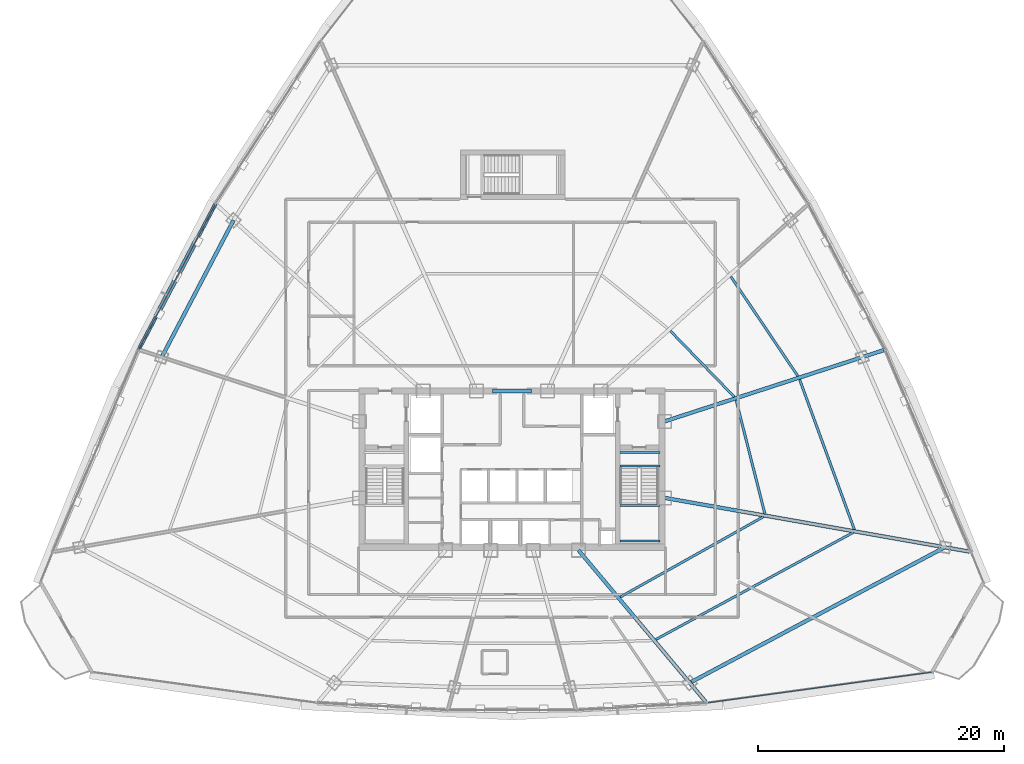
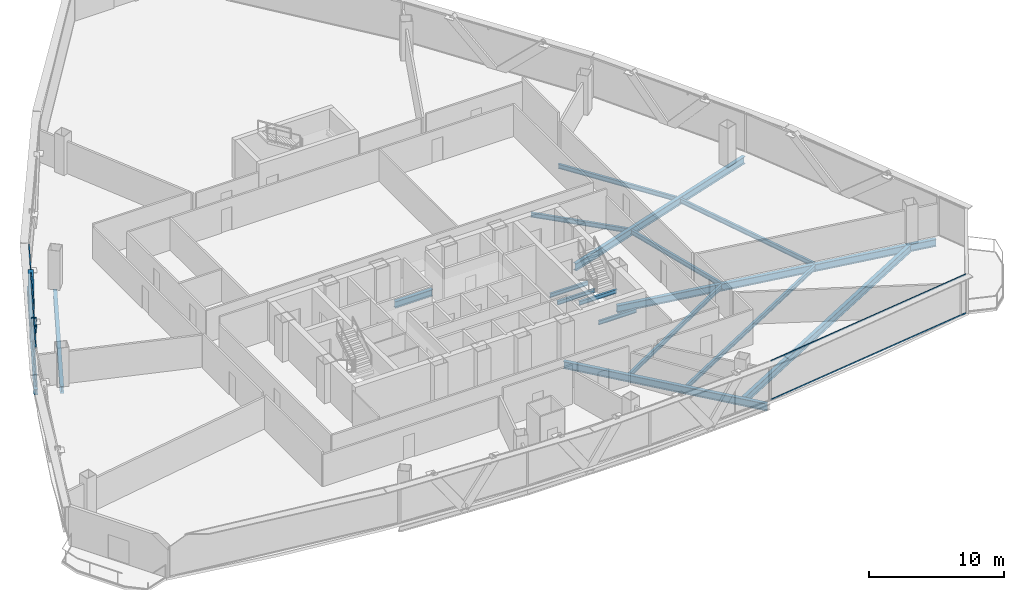
# One storey, part 15 of 37: 17 beams, 6 members, 2 elements without a shape of their own.
"""IFC4 building model written with IfcOpenShell, lengths in metres."""

from ifc_helpers import new_model, si_unit, direction, frame, origin, origin_2d, place, context, subcontext, project, spatial, hollow_rectangle, i_section, extrude, source, transform, mapped, material, layer, layer_set, material_profile, profile_set, type_object, element, aggregate, save


model = new_model("IFC4")

# Units and contexts
model_context = context("Model", 3, precision=1e-05, world=origin(), true_north=direction((0.0, 1.0)))
body_context = subcontext(model_context, "Body", "Model", "MODEL_VIEW")
ifc_project = project(units=[si_unit("LENGTHUNIT", "METRE"), si_unit("AREAUNIT", "SQUARE_METRE"), si_unit("VOLUMEUNIT", "CUBIC_METRE"), si_unit("PLANEANGLEUNIT", "RADIAN"), si_unit("MASSUNIT", "GRAM", prefix="KILO"), si_unit("THERMODYNAMICTEMPERATUREUNIT", "KELVIN"), si_unit("POWERUNIT", "WATT")], contexts=[model_context])

# Site, building, storey
site_placement = place(None, origin())
site = spatial("IfcSite", under=ifc_project, at=site_placement, CompositionType="ELEMENT")
building_placement = place(site_placement, origin())
building = spatial("IfcBuilding", under=site, at=building_placement, Name="Yunzhuo Pagoda Commons", CompositionType="ELEMENT")
storey_placement = place(building_placement, frame((0.0, 0.0, 199.9599609375)))
storey = spatial("IfcBuildingStorey", under=building, at=storey_placement, Name="L50", CompositionType="ELEMENT", Elevation=199.9599609375)

# Beams
ifc_material_1 = material(Name="Structural steel Q355B", Category="steel")
ifc_material_profile_1 = material_profile(ifc_material_1, i_section(OverallWidth=0.175048828125, OverallDepth=0.35009765625, WebThickness=0.007080078125, FlangeThickness=0.010986328125, at=origin_2d()), Name="Structural steel Q355B")
ifc_profile_set_1 = profile_set([ifc_material_profile_1], Name="Structural steel Q355B")
beam_type_1 = type_object("IfcBeamType", Name="B-JS2 Joist HN 350x175x7x11", PredefinedType="JOIST", material=ifc_profile_set_1)
shared_shape_1 = source(origin(), body_context, "Body", "SweptSolid", [
    extrude(i_section(OverallWidth=0.175048828125, OverallDepth=0.35009765625, WebThickness=0.007080078125, FlangeThickness=0.010986328125, at=origin_2d()), origin(), (0.0, 0.0, 1.0), 3.25),
])
for number, where, z_axis, x_axis, name in (
    (1, (56.800048828125, 28.0, 1.525146484375), (1.0, 0.0, 0.0), (0.0, 1.0, 0.0), "L50 ST2 landing support beam 56A"),
    (2, (56.800048828125, 30.89990234375, 1.525146484375), (1.0, 0.0, 0.0), (0.0, 1.0, 0.0), "L50 ST2 landing support beam 56B"),
    (3, (56.800048828125, 34.10009765625, -0.375), (1.0, 0.0, 0.0), (0.0, 1.0, 0.0), "L50 ST2 landing support beam 154A"),
    (4, (56.800048828125, 35.199951171875, -0.375), (1.0, 0.0, 0.0), (0.0, 1.0, 0.0), "L50 ST2 landing support beam 154B"),
):
    element("IfcBeam", number, at=place(storey_placement, frame(where, z_axis=z_axis, x_axis=x_axis)), inside=storey, type_object=beam_type_1, Name=name, PredefinedType="JOIST", context=body_context, shape_type="MappedRepresentation", body=[
        mapped(shared_shape_1, transform((0.0, 0.0, 0.0), scale=1.0)),
    ])
ifc_material_2 = material(Name="Structural steel Q420B", Category="steel")
ifc_material_profile_2 = material_profile(ifc_material_2, i_section(OverallWidth=0.300048828125, OverallDepth=0.587890625, WebThickness=0.011962890625, FlangeThickness=0.02001953125, at=origin_2d()), Name="Structural steel Q420B")
ifc_profile_set_2 = profile_set([ifc_material_profile_2], Name="Structural steel Q420B")
beam_type_2 = type_object("IfcBeamType", Name="B-CPL Beam HM 588x300x12x20", PredefinedType="BEAM", material=ifc_profile_set_2)
shared_shape_2 = source(origin(), body_context, "Body", "SweptSolid", [
    extrude(i_section(OverallWidth=0.300048828125, OverallDepth=0.587890625, WebThickness=0.011962890625, FlangeThickness=0.02001953125, at=origin_2d()), origin(), (0.0, 0.0, 1.0), 3.2001953125),
])
beam_1_placement = place(storey_placement, frame((46.39990234375, 40.199951171875, -0.553955078125), z_axis=(1.0, 0.0, 0.0), x_axis=(0.0, 1.0, 0.0)))
element("IfcBeam", 5, at=beam_1_placement, inside=storey, type_object=beam_type_2, Name="L50 core coupling girder", PredefinedType="BEAM", context=body_context, shape_type="MappedRepresentation", body=[
    mapped(shared_shape_2, transform((0.0, 0.0, 0.0), scale=1.0)),
])
ifc_material_profile_3 = material_profile(ifc_material_1, i_section(OverallWidth=0.300048828125, OverallDepth=0.64990234375, WebThickness=0.012939453125, FlangeThickness=0.02197265625, at=origin_2d()), Name="Structural steel Q355B")
ifc_profile_set_3 = profile_set([ifc_material_profile_3], Name="Structural steel Q355B")
beam_type_3 = type_object("IfcBeamType", Name="B-RG2 Beam HN 650x300x13x22", PredefinedType="BEAM", material=ifc_profile_set_3)
shared_shape_3 = source(origin(), body_context, "Body", "SweptSolid", [
    extrude(i_section(OverallWidth=0.300048828125, OverallDepth=0.64990234375, WebThickness=0.012939453125, FlangeThickness=0.02197265625, at=origin_2d()), origin(), (0.0, 0.0, 1.0), 23.49365234375),
])
beam_2_placement = place(storey_placement, frame((62.461181640625, 16.4658203125, -0.5849609375), z_axis=(0.883016269865, 0.469342377325, 0.0), x_axis=(-0.469342377325, 0.883016269865, 0.0)))
element("IfcBeam", 6, at=beam_2_placement, inside=storey, type_object=beam_type_3, Name="L50 column-ring beam 4", PredefinedType="BEAM", context=body_context, shape_type="MappedRepresentation", body=[
    mapped(shared_shape_3, transform((0.0, 0.0, 0.0), scale=1.0)),
])
shared_shape_4 = source(origin(), body_context, "Body", "SweptSolid", [
    extrude(i_section(OverallWidth=0.300048828125, OverallDepth=0.64990234375, WebThickness=0.012939453125, FlangeThickness=0.02197265625, at=origin_2d()), origin(), (0.0, 0.0, 1.0), 12.576416015625),
])
beam_3_placement = place(storey_placement, frame((25.349365234375, 54.0947265625, -0.5849609375), z_axis=(-0.464676385233, -0.885480579689, 0.0), x_axis=(0.885480579689, -0.464676385233, 0.0)))
element("IfcBeam", 7, at=beam_3_placement, inside=storey, type_object=beam_type_3, Name="L50 column-ring beam 10", PredefinedType="BEAM", context=body_context, shape_type="MappedRepresentation", body=[
    mapped(shared_shape_4, transform((0.0, 0.0, 0.0), scale=1.0)),
])
ifc_material_profile_4 = material_profile(ifc_material_1, i_section(OverallWidth=0.199951171875, OverallDepth=0.39990234375, WebThickness=0.008056640625, FlangeThickness=0.012939453125, at=origin_2d()), Name="Structural steel Q355B")
ifc_profile_set_4 = profile_set([ifc_material_profile_4], Name="Structural steel Q355B")
beam_type_4 = type_object("IfcBeamType", Name="B-JS1 Joist HN 400x200x8x13", PredefinedType="JOIST", material=ifc_profile_set_4)
shared_shape_5 = source(origin(), body_context, "Body", "SweptSolid", [
    extrude(i_section(OverallWidth=0.199951171875, OverallDepth=0.39990234375, WebThickness=0.008056640625, FlangeThickness=0.012939453125, at=origin_2d()), origin(), (0.0, 0.0, 1.0), 13.372802734375),
])
beam_4_placement = place(storey_placement, frame((56.80859375, 23.445556640625, -0.4599609375), z_axis=(0.872150261016, 0.4892381038, 0.0), x_axis=(-0.4892381038, 0.872150261016, 0.0)))
element("IfcBeam", 8, at=beam_4_placement, inside=storey, type_object=beam_type_4, Name="L50 composite ring joist 1.4", PredefinedType="JOIST", context=body_context, shape_type="MappedRepresentation", body=[
    mapped(shared_shape_5, transform((0.0, 0.0, 0.0), scale=1.0)),
])
shared_shape_6 = source(origin(), body_context, "Body", "SweptSolid", [
    extrude(i_section(OverallWidth=0.199951171875, OverallDepth=0.39990234375, WebThickness=0.008056640625, FlangeThickness=0.012939453125, at=origin_2d()), origin(), (0.0, 0.0, 1.0), 18.27294921875),
])
beam_5_placement = place(storey_placement, frame((59.705322265625, 19.992431640625, -0.4599609375), z_axis=(0.879067821824, 0.476696721861, 0.0), x_axis=(-0.476696721861, 0.879067821824, 0.0)))
element("IfcBeam", 9, at=beam_5_placement, inside=storey, type_object=beam_type_4, Name="L50 composite ring joist 2.4", PredefinedType="JOIST", context=body_context, shape_type="MappedRepresentation", body=[
    mapped(shared_shape_6, transform((0.0, 0.0, 0.0), scale=1.0)),
])
shared_shape_7 = source(origin(), body_context, "Body", "SweptSolid", [
    extrude(i_section(OverallWidth=0.199951171875, OverallDepth=0.39990234375, WebThickness=0.008056640625, FlangeThickness=0.012939453125, at=origin_2d()), origin(), (0.0, 0.0, 1.0), 9.529052734375),
])
beam_6_placement = place(storey_placement, frame((68.5712890625, 30.219970703125, -0.4599609375), z_axis=(-0.245367921097, 0.969430030119, 0.0), x_axis=(-0.969430030119, -0.245367921097, 0.0)))
element("IfcBeam", 10, at=beam_6_placement, inside=storey, type_object=beam_type_4, Name="L50 composite ring joist 1.5", PredefinedType="JOIST", context=body_context, shape_type="MappedRepresentation", body=[
    mapped(shared_shape_7, transform((0.0, 0.0, 0.0), scale=1.0)),
])
shared_shape_8 = source(origin(), body_context, "Body", "SweptSolid", [
    extrude(i_section(OverallWidth=0.199951171875, OverallDepth=0.39990234375, WebThickness=0.008056640625, FlangeThickness=0.012939453125, at=origin_2d()), origin(), (0.0, 0.0, 1.0), 12.994873046875),
])
beam_7_placement = place(storey_placement, frame((75.85400390625, 28.928466796875, -0.4599609375), z_axis=(-0.342834977914, 0.939395645039, 0.0), x_axis=(-0.939395645039, -0.342834977914, 0.0)))
element("IfcBeam", 11, at=beam_7_placement, inside=storey, type_object=beam_type_4, Name="L50 composite ring joist 2.5", PredefinedType="JOIST", context=body_context, shape_type="MappedRepresentation", body=[
    mapped(shared_shape_8, transform((0.0, 0.0, 0.0), scale=1.0)),
])
shared_shape_9 = source(origin(), body_context, "Body", "SweptSolid", [
    extrude(i_section(OverallWidth=0.199951171875, OverallDepth=0.39990234375, WebThickness=0.008056640625, FlangeThickness=0.012939453125, at=origin_2d()), origin(), (0.0, 0.0, 1.0), 7.46826171875),
])
beam_8_placement = place(storey_placement, frame((66.08349609375, 39.725830078125, -0.4599609375), z_axis=(-0.696070782679, 0.717973164889, 0.0), x_axis=(-0.717973164889, -0.696070782679, 0.0)))
element("IfcBeam", 12, at=beam_8_placement, inside=storey, type_object=beam_type_4, Name="L50 composite ring joist 1.6", PredefinedType="JOIST", context=body_context, shape_type="MappedRepresentation", body=[
    mapped(shared_shape_9, transform((0.0, 0.0, 0.0), scale=1.0)),
])
shared_shape_10 = source(origin(), body_context, "Body", "SweptSolid", [
    extrude(i_section(OverallWidth=0.199951171875, OverallDepth=0.39990234375, WebThickness=0.008056640625, FlangeThickness=0.012939453125, at=origin_2d()), origin(), (0.0, 0.0, 1.0), 9.764892578125),
])
beam_9_placement = place(storey_placement, frame((71.255615234375, 41.4169921875, -0.4599609375), z_axis=(-0.558548425455, 0.829471914185, 0.0), x_axis=(-0.829471914185, -0.558548425455, 0.0)))
element("IfcBeam", 13, at=beam_9_placement, inside=storey, type_object=beam_type_4, Name="L50 composite ring joist 2.6", PredefinedType="JOIST", context=body_context, shape_type="MappedRepresentation", body=[
    mapped(shared_shape_10, transform((0.0, 0.0, 0.0), scale=1.0)),
])
shared_shape_11 = source(origin(), body_context, "Body", "SweptSolid", [
    extrude(i_section(OverallWidth=0.300048828125, OverallDepth=0.64990234375, WebThickness=0.012939453125, FlangeThickness=0.02197265625, at=origin_2d()), origin(), (0.0, 0.0, 1.0), 16.0595703125),
])
beam_10_placement = place(storey_placement, frame((63.735107421875, 14.94775390625, -0.5849609375), z_axis=(-0.64279447514, 0.766038682267, 0.0), x_axis=(-0.766038682267, -0.64279447514, 0.0)))
element("IfcBeam", 14, at=beam_10_placement, inside=storey, type_object=beam_type_3, Name="L50 radial floor girder F1C4", PredefinedType="BEAM", context=body_context, shape_type="MappedRepresentation", body=[
    mapped(shared_shape_11, transform((0.0, 0.0, 0.0), scale=1.0)),
])
shared_shape_12 = source(origin(), body_context, "Body", "SweptSolid", [
    extrude(i_section(OverallWidth=0.300048828125, OverallDepth=0.64990234375, WebThickness=0.012939453125, FlangeThickness=0.02197265625, at=origin_2d()), origin(), (0.0, 0.0, 1.0), 25.183349609375),
])
beam_11_placement = place(storey_placement, frame((85.20068359375, 27.140380859375, -0.5849609375), z_axis=(-0.984807753026, 0.173648177589, 0.0), x_axis=(-0.173648177589, -0.984807753026, 0.0)))
element("IfcBeam", 15, at=beam_11_placement, inside=storey, type_object=beam_type_3, Name="L50 radial floor girder F2C1", PredefinedType="BEAM", context=body_context, shape_type="MappedRepresentation", body=[
    mapped(shared_shape_12, transform((0.0, 0.0, 0.0), scale=1.0)),
])
shared_shape_13 = source(origin(), body_context, "Body", "SweptSolid", [
    extrude(i_section(OverallWidth=0.300048828125, OverallDepth=0.64990234375, WebThickness=0.012939453125, FlangeThickness=0.02197265625, at=origin_2d()), origin(), (0.0, 0.0, 1.0), 18.746337890625),
])
beam_12_placement = place(storey_placement, frame((78.228759765625, 43.52197265625, -0.5849609375), z_axis=(-0.951056174336, -0.309018046814, 0.0), x_axis=(0.309018046814, -0.951056174336, 0.0)))
element("IfcBeam", 16, at=beam_12_placement, inside=storey, type_object=beam_type_3, Name="L50 radial floor girder F2C2", PredefinedType="BEAM", context=body_context, shape_type="MappedRepresentation", body=[
    mapped(shared_shape_13, transform((0.0, 0.0, 0.0), scale=1.0)),
])
ifc_material_profile_5 = material_profile(ifc_material_1, i_section(OverallWidth=0.300048828125, OverallDepth=0.488037109375, WebThickness=0.010986328125, FlangeThickness=0.01806640625, at=origin_2d()), Name="Structural steel Q355B")
ifc_profile_set_5 = profile_set([ifc_material_profile_5], Name="Structural steel Q355B")
beam_type_5 = type_object("IfcBeamType", Name="B-SP1 Beam HM 488x300x11x18", PredefinedType="BEAM", material=ifc_profile_set_5)
shared_shape_14 = source(origin(), body_context, "Body", "SweptSolid", [
    extrude(i_section(OverallWidth=0.300048828125, OverallDepth=0.488037109375, WebThickness=0.010986328125, FlangeThickness=0.01806640625, at=origin_2d()), origin(), (0.0, 0.0, 1.0), 13.399658203125),
])
beam_13_placement = place(storey_placement, frame((23.875732421875, 55.421630859375, -0.50390625), z_axis=(-0.466573749972, -0.884482298204, 0.0), x_axis=(0.884482298204, -0.466573749972, 0.0)))
element("IfcBeam", 17, at=beam_13_placement, inside=storey, type_object=beam_type_5, Name="L50 facade edge spandrel beam F3.2", PredefinedType="BEAM", context=body_context, shape_type="MappedRepresentation", body=[
    mapped(shared_shape_14, transform((0.0, 0.0, 0.0), scale=1.0)),
])

# Members
ifc_material_profile_6 = material_profile(ifc_material_1, hollow_rectangle(XDim=0.39990234375, YDim=0.719970703125, WallThickness=0.02392578125, at=origin_2d()), Name="Structural steel Q355B")
ifc_profile_set_6 = profile_set([ifc_material_profile_6], Name="Structural steel Q355B")
member_type_1 = type_object("IfcMemberType", Name="M-DL2 Brace BOX 720x400x24", PredefinedType="BRACE", material=ifc_profile_set_6)
shared_shape_15 = source(origin(), body_context, "Body", "SweptSolid", [
    extrude(hollow_rectangle(XDim=0.39990234375, YDim=0.719970703125, WallThickness=0.02392578125, at=origin_2d()), origin(), (0.0, 0.0, 1.0), 5.065673828125),
])
member_1_placement = place(storey_placement, frame((20.749755859375, 49.495849609375, -0.260009765625), z_axis=(0.30854783788, 0.584852860461, 0.750163557732), x_axis=(-0.884462464322, 0.466611347061, 0.0)))
element("IfcMember", 18, at=member_1_placement, inside=storey, type_object=member_type_1, Name="L50 facade diamond brace F3.2L", PredefinedType="BRACE", context=body_context, shape_type="MappedRepresentation", body=[
    mapped(shared_shape_15, transform((0.0, 0.0, 0.0), scale=1.0)),
])
shared_shape_16 = source(origin(), body_context, "Body", "SweptSolid", [
    extrude(hollow_rectangle(XDim=0.39990234375, YDim=0.719970703125, WallThickness=0.02392578125, at=origin_2d()), origin(), (0.0, 0.0, 1.0), 5.06591796875),
])
member_2_placement = place(storey_placement, frame((20.749755859375, 49.495849609375, -0.260009765625), z_axis=(-0.308530443658, -0.584916275331, 0.750121267655), x_axis=(0.884494196233, -0.466551194223, 0.0)))
element("IfcMember", 19, at=member_2_placement, inside=storey, type_object=member_type_1, Name="L50 facade diamond brace F3.2R", PredefinedType="BRACE", context=body_context, shape_type="MappedRepresentation", body=[
    mapped(shared_shape_16, transform((0.0, 0.0, 0.0), scale=1.0)),
])

# Curtain wall, members
ifc_material_3 = material(Name="Anodized aluminium 6063-T6", Category="aluminium")
ifc_layer = layer(ifc_material_3, 0.14990234375)
ifc_layer_set = layer_set([ifc_layer], Name="Anodized aluminium 6063-T6")
curtain_wall_type = type_object("IfcCurtainWallType", Name="CW-MID Mid-Zone Ribbon Curtain Wall", PredefinedType="NOTDEFINED", material=ifc_layer_set)
curtain_wall_1_placement = place(storey_placement, origin())
curtain_wall_1 = element("IfcCurtainWall", 20, at=curtain_wall_1_placement, inside=storey, type_object=curtain_wall_type, Name="L50 curtain wall CW-L50-F1B5", PredefinedType="NOTDEFINED")
ifc_material_profile_7 = material_profile(ifc_material_3, hollow_rectangle(XDim=0.054931640625, YDim=0.1298828125, WallThickness=0.00341796875, at=origin_2d()), Name="Anodized aluminium 6063-T6")
ifc_profile_set_7 = profile_set([ifc_material_profile_7], Name="Anodized aluminium 6063-T6")
member_type_2 = type_object("IfcMemberType", Name="CW-MID-T Transom RHS 130x55x3.5", PredefinedType="USERDEFINED", material=ifc_profile_set_7)
shared_shape_17 = source(origin(), body_context, "Body", "SweptSolid", [
    extrude(hollow_rectangle(XDim=0.054931640625, YDim=0.1298828125, WallThickness=0.00341796875, at=origin_2d()), origin(), (0.0, 0.0, 1.0), 18.307861328125),
])
member_3_placement = place(storey_placement, frame((63.968505859375, 14.84716796875, 0.027587890625), z_axis=(0.990802800825, 0.13531374608, 0.0), x_axis=(-0.13531374608, 0.990802800825, 0.0)))
member_3 = element("IfcMember", 21, at=member_3_placement, type_object=member_type_2, Name="CW transom 1.1", ObjectType="TRANSOM", PredefinedType="USERDEFINED", context=body_context, shape_type="MappedRepresentation", body=[
    mapped(shared_shape_17, transform((0.0, 0.0, 0.0), scale=1.0)),
])
member_4_placement = place(storey_placement, frame((63.968505859375, 14.84716796875, 3.512451171875), z_axis=(0.990802800825, 0.13531374608, 0.0), x_axis=(-0.13531374608, 0.990802800825, 0.0)))
member_4 = element("IfcMember", 22, at=member_4_placement, type_object=member_type_2, Name="CW transom 1.2", ObjectType="TRANSOM", PredefinedType="USERDEFINED", context=body_context, shape_type="MappedRepresentation", body=[
    mapped(shared_shape_17, transform((0.0, 0.0, 0.0), scale=1.0)),
])
aggregate(curtain_wall_1, [member_3, member_4])

curtain_wall_2_placement = place(storey_placement, origin())
curtain_wall_2 = element("IfcCurtainWall", 23, at=curtain_wall_2_placement, inside=storey, type_object=curtain_wall_type, Name="L50 curtain wall CW-L50-F3B3", PredefinedType="NOTDEFINED")
shared_shape_18 = source(origin(), body_context, "Body", "SweptSolid", [
    extrude(hollow_rectangle(XDim=0.054931640625, YDim=0.1298828125, WallThickness=0.00341796875, at=origin_2d()), origin(), (0.0, 0.0, 1.0), 13.27978515625),
])
member_5_placement = place(storey_placement, frame((23.84765625, 55.36865234375, 0.027587890625), z_axis=(-0.466544115996, -0.884497929805, 0.0), x_axis=(0.884497929805, -0.466544115996, 0.0)))
member_5 = element("IfcMember", 24, at=member_5_placement, type_object=member_type_2, Name="CW transom 1.1", ObjectType="TRANSOM", PredefinedType="USERDEFINED", context=body_context, shape_type="MappedRepresentation", body=[
    mapped(shared_shape_18, transform((0.0, 0.0, 0.0), scale=1.0)),
])
member_6_placement = place(storey_placement, frame((23.84765625, 55.36865234375, 3.512451171875), z_axis=(-0.466544115996, -0.884497929805, 0.0), x_axis=(0.884497929805, -0.466544115996, 0.0)))
member_6 = element("IfcMember", 25, at=member_6_placement, type_object=member_type_2, Name="CW transom 1.2", ObjectType="TRANSOM", PredefinedType="USERDEFINED", context=body_context, shape_type="MappedRepresentation", body=[
    mapped(shared_shape_18, transform((0.0, 0.0, 0.0), scale=1.0)),
])
aggregate(curtain_wall_2, [member_5, member_6])

save(model, "model.ifc")
